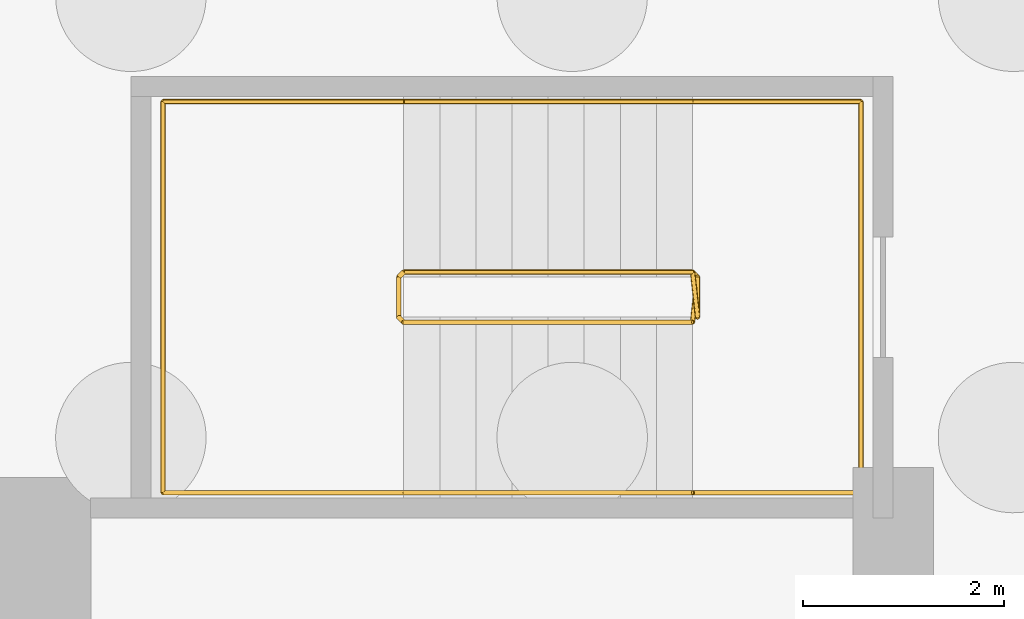
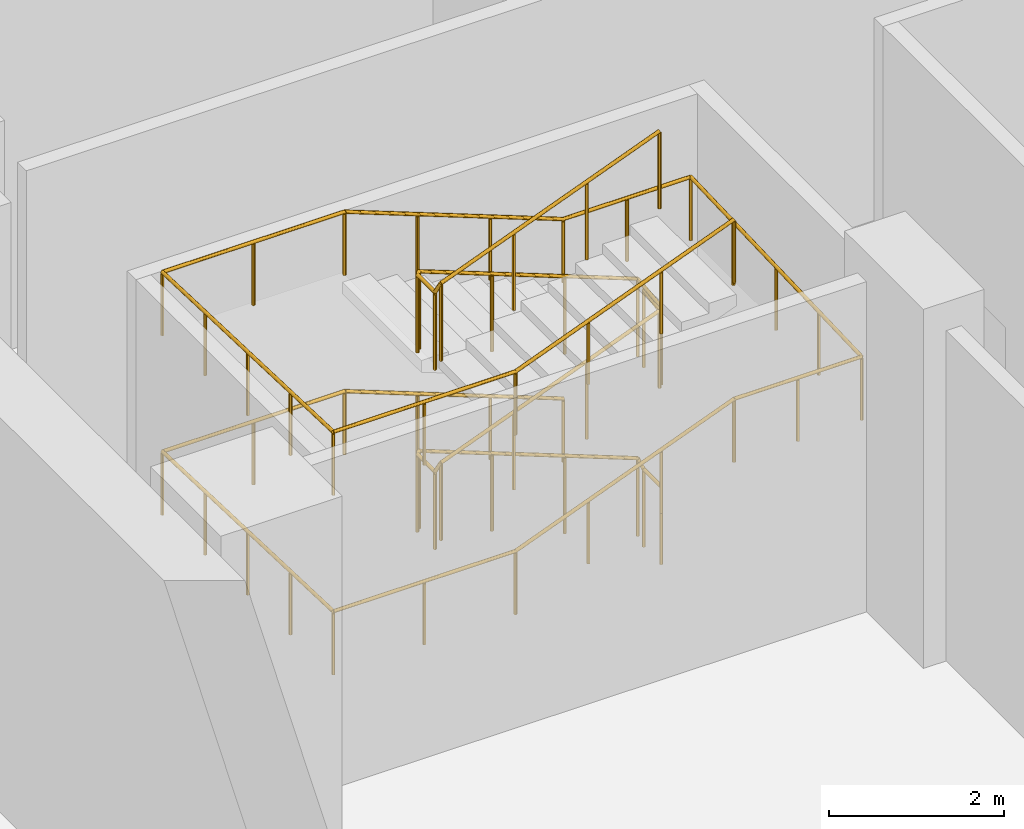
# One storey, part 13 of 14: 2 railings.
"""IFC4 building model written with IfcOpenShell, lengths in metres."""

from ifc_helpers import new_model, si_unit, direction, frame, origin, origin_2d, place, context, subcontext, project, spatial, circle, extrude, material, type_object, element, save


model = new_model("IFC4")

# Units and contexts
model_context = context("Model", 3, precision=1e-05, world=origin(), true_north=direction((0.0, 1.0)))
body_context = subcontext(model_context, "Body", "Model", "MODEL_VIEW")
ifc_project = project(units=[si_unit("LENGTHUNIT", "METRE"), si_unit("AREAUNIT", "SQUARE_METRE"), si_unit("VOLUMEUNIT", "CUBIC_METRE"), si_unit("PLANEANGLEUNIT", "RADIAN"), si_unit("MASSUNIT", "GRAM", prefix="KILO")], contexts=[model_context])

# Site, building, storey
site_placement = place(None, origin())
site = spatial("IfcSite", under=ifc_project, at=site_placement, CompositionType="ELEMENT")
building_placement = place(site_placement, origin())
building = spatial("IfcBuilding", under=site, at=building_placement, Name="Kemantara Hotel Tower", CompositionType="ELEMENT")
storey_placement = place(building_placement, frame((0.0, 0.0, -17.0)))
storey = spatial("IfcBuildingStorey", under=building, at=storey_placement, Name="B3", CompositionType="ELEMENT", Elevation=-17.0)

# Railings
ifc_material = material(Name="Stainless steel balustrade", Category="steel")
railing_type_1 = type_object("IfcRailingType", Name="Stair guard 1100 mm", PredefinedType="GUARDRAIL", material=ifc_material)
railing_1_placement = place(storey_placement, frame((7.800048828125, 73.75, 5.0)))
element("IfcRailing", 1, at=railing_1_placement, inside=storey, type_object=railing_type_1, Name="B3 ST6 stair guard 1", PredefinedType="GUARDRAIL", context=body_context, shape_type="SweptSolid", body=[
    extrude(circle(Radius=0.02392578125, at=origin_2d()), frame((0.0, 0.0, 1.076171875), z_axis=(-0.932982310422, 0.0, -0.359922225543), x_axis=(0.0, -1.0, 0.0)), (0.0, 0.0, 1.0), 3.0869140625),
    extrude(circle(Radius=0.02392578125, at=origin_2d()), frame((-2.880126953125, 0.0, -0.03515625), z_axis=(-0.319608697381, 0.321175406682, -0.891457592206), x_axis=(-0.708833529934, -0.705375805398, 0.0)), (0.0, 0.0, 1.0), 0.15576171875),
    extrude(circle(Radius=0.02392578125, at=origin_2d()), frame((-2.929931640625, 0.050048828125, -0.173828125), z_axis=(0.0, 1.0, 0.0), x_axis=(-1.0, 0.0, 0.0)), (0.0, 0.0, 1.0), 0.39990234375),
    extrude(circle(Radius=0.02392578125, at=origin_2d()), frame((-2.929931640625, 0.449951171875, -0.173828125), z_axis=(0.705375805398, 0.708833529934, 0.0), x_axis=(-0.708833529934, 0.705375805398, 0.0)), (0.0, 0.0, 1.0), 0.070556640625),
    extrude(circle(Radius=0.02392578125, at=origin_2d()), frame((-2.880126953125, 0.5, -0.173828125), z_axis=(0.932982310422, 0.0, -0.359922225543), x_axis=(0.0, 1.0, 0.0)), (0.0, 0.0, 1.0), 3.0869140625),
    extrude(circle(Radius=0.02392578125, at=origin_2d()), frame((0.0, 0.5, -1.28515625), z_axis=(0.105686461667, -0.950147067569, -0.293344374089), x_axis=(0.993870574751, 0.110549901152, 0.0)), (0.0, 0.0, 1.0), 0.4736328125),
    extrude(circle(Radius=0.02392578125, at=origin_2d()), frame((0.050048828125, 0.050048828125, -1.423828125), z_axis=(0.0, 1.0, 0.0), x_axis=(-1.0, 0.0, 0.0)), (0.0, 0.0, 1.0), 0.39990234375),
    extrude(circle(Radius=0.02392578125, at=origin_2d()), frame((0.050048828125, 0.449951171875, -1.423828125), z_axis=(-0.110549901152, -0.993870574751, 0.0), x_axis=(0.993870574751, -0.110549901152, 0.0)), (0.0, 0.0, 1.0), 0.45263671875),
    extrude(circle(Radius=0.02392578125, at=origin_2d()), frame((0.0, 0.0, -1.423828125), z_axis=(-0.932982310422, 0.0, -0.359922225543), x_axis=(0.0, -1.0, 0.0)), (0.0, 0.0, 1.0), 3.0869140625),
    extrude(circle(Radius=0.02392578125, at=origin_2d()), frame((-2.880126953125, 0.0, -2.53515625), z_axis=(-0.319608697381, 0.321175406682, -0.891457592206), x_axis=(-0.708833529934, -0.705375805398, 0.0)), (0.0, 0.0, 1.0), 0.15576171875),
    extrude(circle(Radius=0.02392578125, at=origin_2d()), frame((-2.929931640625, 0.050048828125, -2.673828125), z_axis=(0.0, 1.0, 0.0), x_axis=(-1.0, 0.0, 0.0)), (0.0, 0.0, 1.0), 0.39990234375),
    extrude(circle(Radius=0.02392578125, at=origin_2d()), frame((-2.929931640625, 0.449951171875, -2.673828125), z_axis=(0.705375805398, 0.708833529934, 0.0), x_axis=(-0.708833529934, 0.705375805398, 0.0)), (0.0, 0.0, 1.0), 0.070556640625),
    extrude(circle(Radius=0.02392578125, at=origin_2d()), frame((-2.880126953125, 0.5, -2.673828125), z_axis=(0.932982310422, 0.0, -0.359922225543), x_axis=(0.0, 1.0, 0.0)), (0.0, 0.0, 1.0), 3.0869140625),
    extrude(circle(Radius=0.02392578125, at=origin_2d()), frame((0.0, 0.5, -3.78515625), z_axis=(0.321014310373, -0.321014310373, -0.891010451718), x_axis=(0.707106781187, 0.707106781187, 0.0)), (0.0, 0.0, 1.0), 0.156005859375),
    extrude(circle(Radius=0.02392578125, at=origin_2d()), frame((0.050048828125, 0.449951171875, -3.923828125), z_axis=(0.0, -1.0, 0.0), x_axis=(1.0, 0.0, 0.0)), (0.0, 0.0, 1.0), 0.39990234375),
    extrude(circle(Radius=0.02099609375, at=origin_2d()), origin(), (0.0, 0.0, 1.0), 1.052001953125),
    extrude(circle(Radius=0.02099609375, at=origin_2d()), frame((-0.9599609375, 0.0, -0.370361328125)), (0.0, 0.0, 1.0), 1.052001953125),
    extrude(circle(Radius=0.02099609375, at=origin_2d()), frame((-1.920166015625, 0.0, -0.74072265625)), (0.0, 0.0, 1.0), 1.052001953125),
    extrude(circle(Radius=0.02099609375, at=origin_2d()), frame((-2.880126953125, 0.0, -1.111083984375)), (0.0, 0.0, 1.0), 1.052001953125),
    extrude(circle(Radius=0.02099609375, at=origin_2d()), frame((-2.929931640625, 0.050048828125, -1.25)), (0.0, 0.0, 1.0), 1.052001953125),
    extrude(circle(Radius=0.02099609375, at=origin_2d()), frame((-2.929931640625, 0.449951171875, -1.25)), (0.0, 0.0, 1.0), 1.052001953125),
    extrude(circle(Radius=0.02099609375, at=origin_2d()), frame((-2.880126953125, 0.5, -1.25)), (0.0, 0.0, 1.0), 1.052001953125),
    extrude(circle(Radius=0.02099609375, at=origin_2d()), frame((-1.920166015625, 0.5, -1.620361328125)), (0.0, 0.0, 1.0), 1.052001953125),
    extrude(circle(Radius=0.02099609375, at=origin_2d()), frame((-0.9599609375, 0.5, -1.99072265625)), (0.0, 0.0, 1.0), 1.052001953125),
    extrude(circle(Radius=0.02099609375, at=origin_2d()), frame((0.0, 0.5, -2.361083984375)), (0.0, 0.0, 1.0), 1.052001953125),
    extrude(circle(Radius=0.02099609375, at=origin_2d()), frame((0.050048828125, 0.050048828125, -2.5)), (0.0, 0.0, 1.0), 1.052001953125),
    extrude(circle(Radius=0.02099609375, at=origin_2d()), frame((0.050048828125, 0.449951171875, -2.5)), (0.0, 0.0, 1.0), 1.052001953125),
    extrude(circle(Radius=0.02099609375, at=origin_2d()), frame((0.0, 0.0, -2.5)), (0.0, 0.0, 1.0), 1.052001953125),
    extrude(circle(Radius=0.02099609375, at=origin_2d()), frame((-0.9599609375, 0.0, -2.870361328125)), (0.0, 0.0, 1.0), 1.052001953125),
    extrude(circle(Radius=0.02099609375, at=origin_2d()), frame((-1.920166015625, 0.0, -3.24072265625)), (0.0, 0.0, 1.0), 1.052001953125),
    extrude(circle(Radius=0.02099609375, at=origin_2d()), frame((-2.880126953125, 0.0, -3.611083984375)), (0.0, 0.0, 1.0), 1.052001953125),
    extrude(circle(Radius=0.02099609375, at=origin_2d()), frame((-2.929931640625, 0.050048828125, -3.75)), (0.0, 0.0, 1.0), 1.052001953125),
    extrude(circle(Radius=0.02099609375, at=origin_2d()), frame((-2.929931640625, 0.449951171875, -3.75)), (0.0, 0.0, 1.0), 1.052001953125),
    extrude(circle(Radius=0.02099609375, at=origin_2d()), frame((-2.880126953125, 0.5, -3.75)), (0.0, 0.0, 1.0), 1.052001953125),
    extrude(circle(Radius=0.02099609375, at=origin_2d()), frame((-1.920166015625, 0.5, -4.120361328125)), (0.0, 0.0, 1.0), 1.052001953125),
    extrude(circle(Radius=0.02099609375, at=origin_2d()), frame((-0.9599609375, 0.5, -4.49072265625)), (0.0, 0.0, 1.0), 1.052001953125),
    extrude(circle(Radius=0.02099609375, at=origin_2d()), frame((0.0, 0.5, -4.861083984375)), (0.0, 0.0, 1.0), 1.052001953125),
    extrude(circle(Radius=0.02099609375, at=origin_2d()), frame((0.050048828125, 0.449951171875, -5.0)), (0.0, 0.0, 1.0), 1.052001953125),
    extrude(circle(Radius=0.02099609375, at=origin_2d()), frame((0.050048828125, 0.050048828125, -5.0)), (0.0, 0.0, 1.0), 1.052001953125),
])
railing_type_2 = type_object("IfcRailingType", Name="Stair handrail 900 mm", PredefinedType="HANDRAIL", material=ifc_material)
railing_2_placement = place(storey_placement, frame((7.800048828125, 75.949951171875, 0.138916015625)))
element("IfcRailing", 2, at=railing_2_placement, inside=storey, type_object=railing_type_2, Name="B3 ST6 stair handrail 1", PredefinedType="HANDRAIL", context=body_context, shape_type="SweptSolid", body=[
    extrude(circle(Radius=0.02392578125, at=origin_2d()), frame((0.0, 0.0, 0.8759765625), z_axis=(-0.932982310422, 0.0, 0.359922225543), x_axis=(0.0, -1.0, 0.0)), (0.0, 0.0, 1.0), 3.0869140625),
    extrude(circle(Radius=0.02392578125, at=origin_2d()), frame((-2.880126953125, 0.0, 1.98681640625), z_axis=(-1.0, 0.0, 0.0), x_axis=(0.0, -1.0, 0.0)), (0.0, 0.0, 1.0), 2.39990234375),
    extrude(circle(Radius=0.02392578125, at=origin_2d()), frame((-5.280029296875, 0.0, 1.98681640625), z_axis=(0.0, -0.999366197222, 0.035597806825), x_axis=(1.0, 0.0, 0.0)), (0.0, 0.0, 1.0), 3.90234375),
    extrude(circle(Radius=0.02392578125, at=origin_2d()), frame((-5.280029296875, -3.89990234375, 2.1259765625), z_axis=(1.0, 0.0, 0.0), x_axis=(0.0, 1.0, 0.0)), (0.0, 0.0, 1.0), 2.39990234375),
    extrude(circle(Radius=0.02392578125, at=origin_2d()), frame((-2.880126953125, -3.89990234375, 2.1259765625), z_axis=(0.932982310422, 0.0, 0.359922225543), x_axis=(0.0, 1.0, 0.0)), (0.0, 0.0, 1.0), 3.0869140625),
    extrude(circle(Radius=0.02392578125, at=origin_2d()), frame((0.0, -3.89990234375, 3.23681640625), z_axis=(1.0, 0.0, 0.0), x_axis=(0.0, 1.0, 0.0)), (0.0, 0.0, 1.0), 1.679931640625),
    extrude(circle(Radius=0.02392578125, at=origin_2d()), frame((1.679931640625, -3.89990234375, 3.23681640625), z_axis=(0.0, 0.999366197222, 0.035597806825), x_axis=(-1.0, 0.0, 0.0)), (0.0, 0.0, 1.0), 3.90234375),
    extrude(circle(Radius=0.02392578125, at=origin_2d()), frame((1.679931640625, 0.0, 3.3759765625), z_axis=(-1.0, 0.0, 0.0), x_axis=(0.0, -1.0, 0.0)), (0.0, 0.0, 1.0), 1.679931640625),
    extrude(circle(Radius=0.02392578125, at=origin_2d()), frame((0.0, 0.0, 3.3759765625), z_axis=(-0.932982310422, 0.0, 0.359922225543), x_axis=(0.0, -1.0, 0.0)), (0.0, 0.0, 1.0), 3.0869140625),
    extrude(circle(Radius=0.02392578125, at=origin_2d()), frame((-2.880126953125, 0.0, 4.48681640625), z_axis=(-1.0, 0.0, 0.0), x_axis=(0.0, -1.0, 0.0)), (0.0, 0.0, 1.0), 2.39990234375),
    extrude(circle(Radius=0.02392578125, at=origin_2d()), frame((-5.280029296875, 0.0, 4.48681640625), z_axis=(0.0, -0.999366197222, 0.035597806825), x_axis=(1.0, 0.0, 0.0)), (0.0, 0.0, 1.0), 3.90234375),
    extrude(circle(Radius=0.02392578125, at=origin_2d()), frame((-5.280029296875, -3.89990234375, 4.6259765625), z_axis=(1.0, 0.0, 0.0), x_axis=(0.0, 1.0, 0.0)), (0.0, 0.0, 1.0), 2.39990234375),
    extrude(circle(Radius=0.02392578125, at=origin_2d()), frame((-2.880126953125, -3.89990234375, 4.6259765625), z_axis=(0.932982310422, 0.0, 0.359922225543), x_axis=(0.0, 1.0, 0.0)), (0.0, 0.0, 1.0), 3.0869140625),
    extrude(circle(Radius=0.02099609375, at=origin_2d()), origin(), (0.0, 0.0, 1.0), 0.851806640625),
    extrude(circle(Radius=0.02099609375, at=origin_2d()), frame((-0.9599609375, 0.0, 0.370361328125)), (0.0, 0.0, 1.0), 0.851806640625),
    extrude(circle(Radius=0.02099609375, at=origin_2d()), frame((-1.920166015625, 0.0, 0.74072265625)), (0.0, 0.0, 1.0), 0.851806640625),
    extrude(circle(Radius=0.02099609375, at=origin_2d()), frame((-2.880126953125, 0.0, 1.111083984375)), (0.0, 0.0, 1.0), 0.851806640625),
    extrude(circle(Radius=0.02099609375, at=origin_2d()), frame((-4.080078125, 0.0, 1.111083984375)), (0.0, 0.0, 1.0), 0.851806640625),
    extrude(circle(Radius=0.02099609375, at=origin_2d()), frame((-5.280029296875, 0.0, 1.111083984375)), (0.0, 0.0, 1.0), 0.851806640625),
    extrude(circle(Radius=0.02099609375, at=origin_2d()), frame((-5.280029296875, -0.97509765625, 1.145751953125)), (0.0, 0.0, 1.0), 0.851806640625),
    extrude(circle(Radius=0.02099609375, at=origin_2d()), frame((-5.280029296875, -1.949951171875, 1.1806640625)), (0.0, 0.0, 1.0), 0.851806640625),
    extrude(circle(Radius=0.02099609375, at=origin_2d()), frame((-5.280029296875, -2.9248046875, 1.21533203125)), (0.0, 0.0, 1.0), 0.851806640625),
    extrude(circle(Radius=0.02099609375, at=origin_2d()), frame((-5.280029296875, -3.89990234375, 1.25)), (0.0, 0.0, 1.0), 0.851806640625),
    extrude(circle(Radius=0.02099609375, at=origin_2d()), frame((-4.080078125, -3.89990234375, 1.25)), (0.0, 0.0, 1.0), 0.851806640625),
    extrude(circle(Radius=0.02099609375, at=origin_2d()), frame((-2.880126953125, -3.89990234375, 1.25)), (0.0, 0.0, 1.0), 0.851806640625),
    extrude(circle(Radius=0.02099609375, at=origin_2d()), frame((-1.920166015625, -3.89990234375, 1.620361328125)), (0.0, 0.0, 1.0), 0.851806640625),
    extrude(circle(Radius=0.02099609375, at=origin_2d()), frame((-0.9599609375, -3.89990234375, 1.99072265625)), (0.0, 0.0, 1.0), 0.851806640625),
    extrude(circle(Radius=0.02099609375, at=origin_2d()), frame((0.0, -3.89990234375, 2.361083984375)), (0.0, 0.0, 1.0), 0.851806640625),
    extrude(circle(Radius=0.02099609375, at=origin_2d()), frame((0.83984375, -3.89990234375, 2.361083984375)), (0.0, 0.0, 1.0), 0.851806640625),
    extrude(circle(Radius=0.02099609375, at=origin_2d()), frame((1.679931640625, -3.89990234375, 2.361083984375)), (0.0, 0.0, 1.0), 0.851806640625),
    extrude(circle(Radius=0.02099609375, at=origin_2d()), frame((1.679931640625, -2.9248046875, 2.395751953125)), (0.0, 0.0, 1.0), 0.851806640625),
    extrude(circle(Radius=0.02099609375, at=origin_2d()), frame((1.679931640625, -1.949951171875, 2.4306640625)), (0.0, 0.0, 1.0), 0.851806640625),
    extrude(circle(Radius=0.02099609375, at=origin_2d()), frame((1.679931640625, -0.97509765625, 2.46533203125)), (0.0, 0.0, 1.0), 0.851806640625),
    extrude(circle(Radius=0.02099609375, at=origin_2d()), frame((1.679931640625, 0.0, 2.5)), (0.0, 0.0, 1.0), 0.851806640625),
    extrude(circle(Radius=0.02099609375, at=origin_2d()), frame((0.83984375, 0.0, 2.5)), (0.0, 0.0, 1.0), 0.851806640625),
    extrude(circle(Radius=0.02099609375, at=origin_2d()), frame((0.0, 0.0, 2.5)), (0.0, 0.0, 1.0), 0.851806640625),
    extrude(circle(Radius=0.02099609375, at=origin_2d()), frame((-0.9599609375, 0.0, 2.870361328125)), (0.0, 0.0, 1.0), 0.851806640625),
    extrude(circle(Radius=0.02099609375, at=origin_2d()), frame((-1.920166015625, 0.0, 3.24072265625)), (0.0, 0.0, 1.0), 0.851806640625),
    extrude(circle(Radius=0.02099609375, at=origin_2d()), frame((-2.880126953125, 0.0, 3.611083984375)), (0.0, 0.0, 1.0), 0.851806640625),
    extrude(circle(Radius=0.02099609375, at=origin_2d()), frame((-4.080078125, 0.0, 3.611083984375)), (0.0, 0.0, 1.0), 0.851806640625),
    extrude(circle(Radius=0.02099609375, at=origin_2d()), frame((-5.280029296875, 0.0, 3.611083984375)), (0.0, 0.0, 1.0), 0.851806640625),
    extrude(circle(Radius=0.02099609375, at=origin_2d()), frame((-5.280029296875, -0.97509765625, 3.645751953125)), (0.0, 0.0, 1.0), 0.851806640625),
    extrude(circle(Radius=0.02099609375, at=origin_2d()), frame((-5.280029296875, -1.949951171875, 3.6806640625)), (0.0, 0.0, 1.0), 0.851806640625),
    extrude(circle(Radius=0.02099609375, at=origin_2d()), frame((-5.280029296875, -2.9248046875, 3.71533203125)), (0.0, 0.0, 1.0), 0.851806640625),
    extrude(circle(Radius=0.02099609375, at=origin_2d()), frame((-5.280029296875, -3.89990234375, 3.75)), (0.0, 0.0, 1.0), 0.851806640625),
    extrude(circle(Radius=0.02099609375, at=origin_2d()), frame((-4.080078125, -3.89990234375, 3.75)), (0.0, 0.0, 1.0), 0.851806640625),
    extrude(circle(Radius=0.02099609375, at=origin_2d()), frame((-2.880126953125, -3.89990234375, 3.75)), (0.0, 0.0, 1.0), 0.851806640625),
    extrude(circle(Radius=0.02099609375, at=origin_2d()), frame((-1.920166015625, -3.89990234375, 4.120361328125)), (0.0, 0.0, 1.0), 0.851806640625),
    extrude(circle(Radius=0.02099609375, at=origin_2d()), frame((-0.9599609375, -3.89990234375, 4.49072265625)), (0.0, 0.0, 1.0), 0.851806640625),
    extrude(circle(Radius=0.02099609375, at=origin_2d()), frame((0.0, -3.89990234375, 4.861083984375)), (0.0, 0.0, 1.0), 0.851806640625),
])

save(model, "model.ifc")
